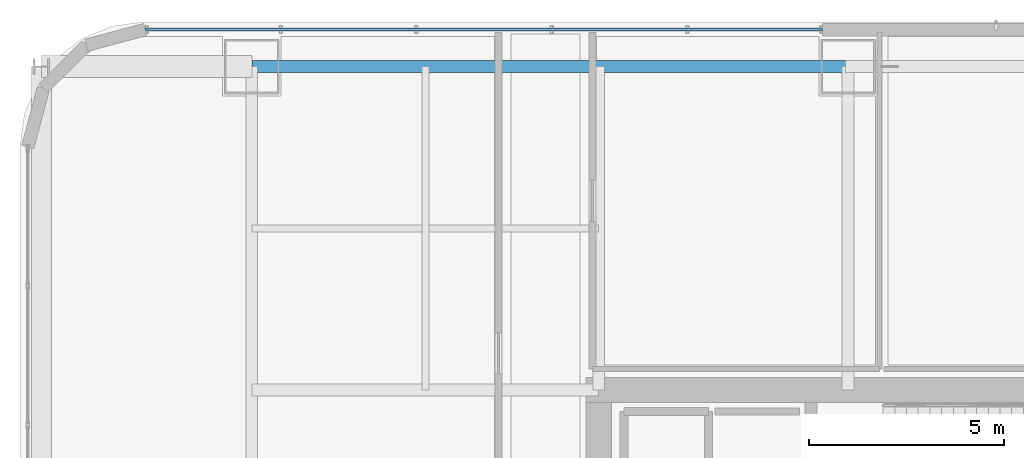
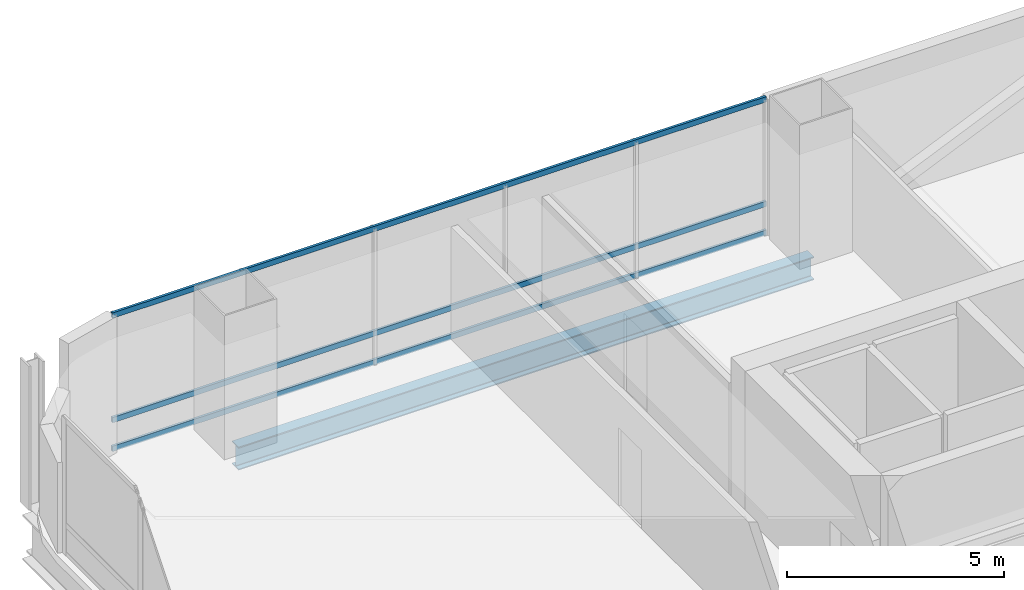
# One storey, part 20 of 38: 3 members, 1 beam, 1 element without a shape of its own.
"""IFC4 building model written with IfcOpenShell, lengths in metres."""

from ifc_helpers import new_model, si_unit, direction, frame, origin, origin_2d, place, context, subcontext, project, spatial, hollow_rectangle, i_section, extrude, material, material_profile, profile_set, type_object, element, aggregate, save


model = new_model("IFC4")

# Units and contexts
model_context = context("Model", 3, precision=1e-05, world=origin(), true_north=direction((0.0, 1.0)))
body_context = subcontext(model_context, "Body", "Model", "MODEL_VIEW")
ifc_project = project(units=[si_unit("LENGTHUNIT", "METRE"), si_unit("AREAUNIT", "SQUARE_METRE"), si_unit("VOLUMEUNIT", "CUBIC_METRE"), si_unit("PLANEANGLEUNIT", "RADIAN"), si_unit("MASSUNIT", "GRAM", prefix="KILO")], contexts=[model_context])

# Site, building, storey
site_placement = place(None, origin())
site = spatial("IfcSite", under=ifc_project, at=site_placement, CompositionType="ELEMENT")
building_placement = place(site_placement, origin())
building = spatial("IfcBuilding", under=site, at=building_placement, Name="Punatoya Terracotta Tower", CompositionType="ELEMENT")
storey_placement = place(building_placement, frame((0.0, 0.0, 188.39990234375)))
storey = spatial("IfcBuildingStorey", under=building, at=storey_placement, Name="L44", CompositionType="ELEMENT", Elevation=188.39990234375)

# Beam
ifc_material_1 = material(Name="Steel S355", Category="steel")
ifc_material_profile_1 = material_profile(ifc_material_1, i_section(OverallWidth=0.300048828125, OverallDepth=0.64990234375, WebThickness=0.01611328125, FlangeThickness=0.031005859375, FilletRadius=0.01806640625, at=origin_2d()))
ifc_profile_set_1 = profile_set([ifc_material_profile_1], Name="Steel S355")
beam_type = type_object("IfcBeamType", Name="BM-PRI-650", PredefinedType="BEAM", material=ifc_profile_set_1)
beam_placement = place(storey_placement, frame((-19.10009765625, 17.5, -0.544921875), z_axis=(1.0, 0.0, 0.0), x_axis=(0.0, 1.0, 0.0)))
element("IfcBeam", 1, at=beam_placement, inside=storey, type_object=beam_type, Name="BM-L44-RG-N1", PredefinedType="BEAM", context=body_context, shape_type="SweptSolid", body=[
    extrude(i_section(OverallWidth=0.300048828125, OverallDepth=0.64990234375, WebThickness=0.01611328125, FlangeThickness=0.031005859375, FilletRadius=0.01806640625, at=origin_2d()), origin(), (0.0, 0.0, 1.0), 15.300048828125),
])

# Curtain wall, members
ifc_material_2 = material(Name="Aluminium 6063-T6 + Double Low-E Glass", Category="aluminium")
curtain_wall_type = type_object("IfcCurtainWallType", Name="CW-M2", PredefinedType="NOTDEFINED", material=ifc_material_2)
curtain_wall_placement = place(storey_placement, origin())
curtain_wall = element("IfcCurtainWall", 2, at=curtain_wall_placement, inside=storey, type_object=curtain_wall_type, Name="L44 Curtain Wall CW-L44-N09-2", PredefinedType="NOTDEFINED")
ifc_material_3 = material(Name="Aluminium 6063-T6", Category="aluminium")
ifc_material_profile_2 = material_profile(ifc_material_3, hollow_rectangle(XDim=0.068115234375, YDim=0.14990234375, WallThickness=0.00390625, at=origin_2d()))
ifc_profile_set_2 = profile_set([ifc_material_profile_2], Name="Aluminium 6063-T6")
member_type = type_object("IfcMemberType", Name="CW-TRN-TYP", PredefinedType="USERDEFINED", material=ifc_profile_set_2)
member_1_placement = place(storey_placement, frame((-4.449951171875, 18.449951171875, 0.0400390625), z_axis=(-1.0, 0.0, 0.0), x_axis=(0.0, -1.0, 0.0)))
member_1 = element("IfcMember", 3, at=member_1_placement, type_object=member_type, Name="CW-L44-N09-2 Transom 1", ObjectType="TRANSOM", PredefinedType="USERDEFINED", context=body_context, shape_type="SweptSolid", body=[
    extrude(hollow_rectangle(XDim=0.068115234375, YDim=0.14990234375, WallThickness=0.00390625, at=origin_2d()), origin(), (0.0, 0.0, 1.0), 17.386962890625),
])
member_2_placement = place(storey_placement, frame((-4.449951171875, 18.449951171875, 0.85009765625), z_axis=(-1.0, 0.0, 0.0), x_axis=(0.0, -1.0, 0.0)))
member_2 = element("IfcMember", 4, at=member_2_placement, type_object=member_type, Name="CW-L44-N09-2 Transom 2", ObjectType="TRANSOM", PredefinedType="USERDEFINED", context=body_context, shape_type="SweptSolid", body=[
    extrude(hollow_rectangle(XDim=0.068115234375, YDim=0.14990234375, WallThickness=0.00390625, at=origin_2d()), origin(), (0.0, 0.0, 1.0), 17.386962890625),
])
member_3_placement = place(storey_placement, frame((-4.449951171875, 18.449951171875, 3.7900390625), z_axis=(-1.0, 0.0, 0.0), x_axis=(0.0, -1.0, 0.0)))
member_3 = element("IfcMember", 5, at=member_3_placement, type_object=member_type, Name="CW-L44-N09-2 Transom 3", ObjectType="TRANSOM", PredefinedType="USERDEFINED", context=body_context, shape_type="SweptSolid", body=[
    extrude(hollow_rectangle(XDim=0.068115234375, YDim=0.14990234375, WallThickness=0.00390625, at=origin_2d()), origin(), (0.0, 0.0, 1.0), 17.386962890625),
])
aggregate(curtain_wall, [member_1, member_2, member_3])

save(model, "model.ifc")
